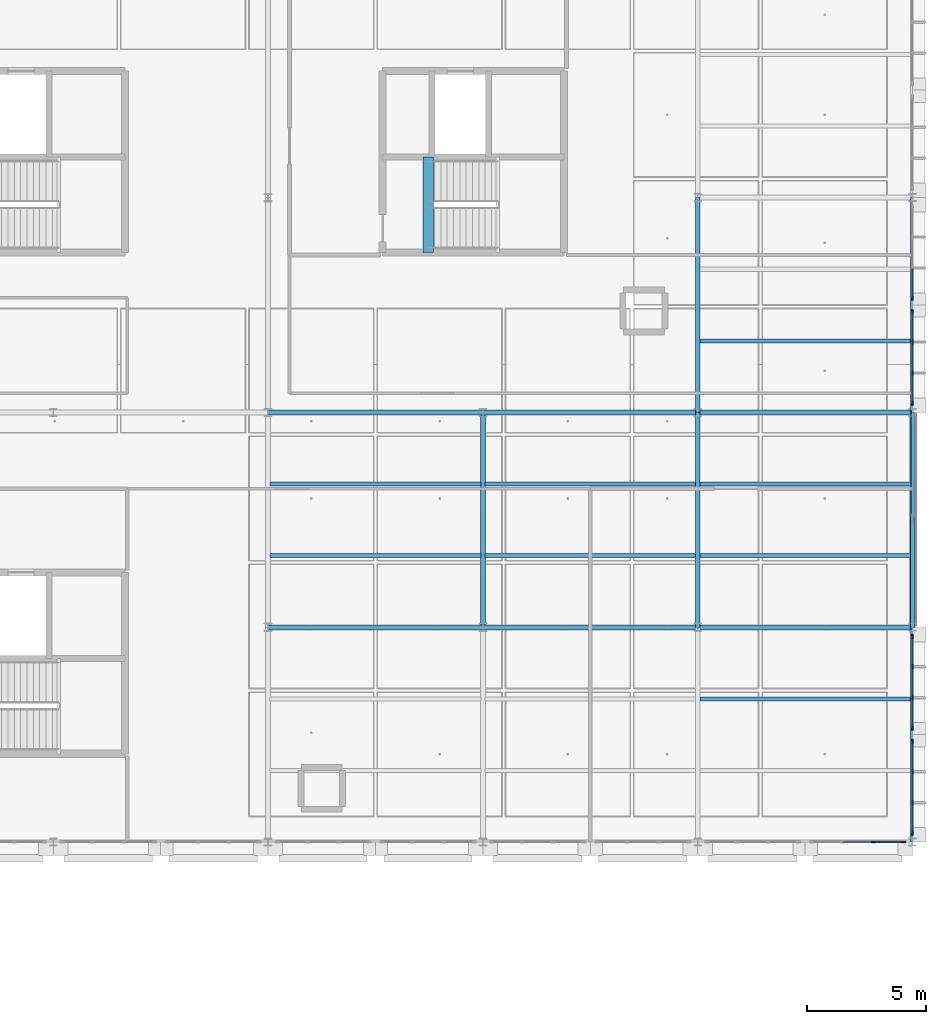
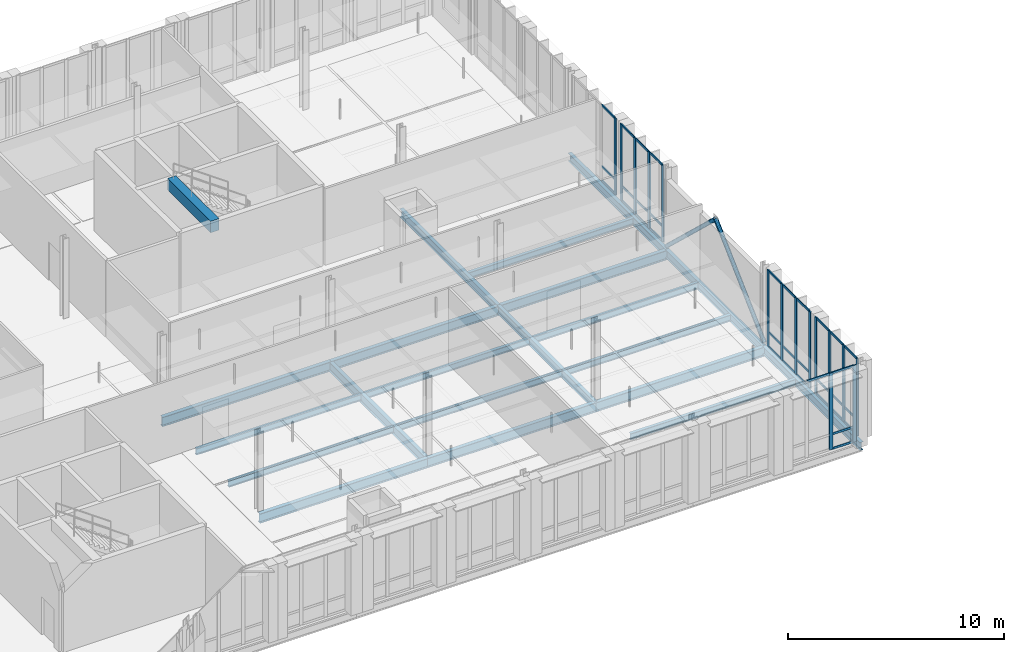
# One storey, part 32 of 89: 51 members, 21 beams, 5 elements without a shape of their own.
"""IFC4 building model written with IfcOpenShell, lengths in metres."""

import ifcopenshell
import ifcopenshell.guid

model = None  # the IFC model being written
_history = None  # IfcOwnerHistory: only IFC2X3 demands one
_inside = {}  # id of a spatial element -> (the spatial element, [elements in it])
_under = {}  # id of a project, library or spatial element -> (it, [spatial elements below it])
_declared = {}  # id of a project -> (the project, [libraries it declares])
_typed = {}  # id of a type object -> (the type object, [elements of that type])
_made_of = {}  # id of a material, layer set ... -> (it, [elements and type objects made of it])


def new_model(schema):
    """Start an empty IFC model of exactly this schema.

    Asked for "IFC4X3", IfcOpenShell would pick the latest addendum, in which some entities
    have other attributes; the version numbers below select the first issue.
    IFC2X3 requires an IfcOwnerHistory on every rooted entity: one is made here for all.
    """
    global model, _history
    if schema == "IFC4X3":
        model = ifcopenshell.file(schema_version=(4, 3, 0, 0))
    else:
        model = ifcopenshell.file(schema=schema)
    _inside.clear()
    _under.clear()
    _declared.clear()
    _typed.clear()
    _made_of.clear()
    _history = None
    if model.schema == "IFC2X3":
        org = make("IfcOrganization", Name="unknown")
        user = make(
            "IfcPersonAndOrganization",
            ThePerson=make("IfcPerson", FamilyName="unknown"),
            TheOrganization=org,
        )
        app = make(
            "IfcApplication",
            ApplicationDeveloper=org,
            Version="unknown",
            ApplicationFullName="unknown",
            ApplicationIdentifier="unknown",
        )
        _history = make(
            "IfcOwnerHistory",
            OwningUser=user,
            OwningApplication=app,
            ChangeAction="ADDED",
            CreationDate=0,
        )
    return model


def make(cls, **values):
    """One entity of the class cls with the attributes given. An attribute that is None is left unset."""
    return model.create_entity(
        cls, **{name: value for name, value in values.items() if value is not None}
    )


def rooted(cls, **values):
    """An entity with a GlobalId (a new one), such as an element, a storey or a relation."""
    return make(cls, GlobalId=ifcopenshell.guid.new(), OwnerHistory=_history, **values)


def si_unit(unit_type, name, prefix=None):
    """IfcSIUnit, for example si_unit("LENGTHUNIT", "METRE", prefix="MILLI")."""
    return make("IfcSIUnit", UnitType=unit_type, Prefix=prefix, Name=name)


def assignment(units):
    """IfcUnitAssignment: the units of a project."""
    return None if units is None else make("IfcUnitAssignment", Units=units)


def point(xyz):
    """IfcCartesianPoint."""
    return None if xyz is None else make("IfcCartesianPoint", Coordinates=xyz)


def direction(xyz):
    """IfcDirection."""
    return None if xyz is None else make("IfcDirection", DirectionRatios=xyz)


def frame(location, z_axis=None, x_axis=None):
    """IfcAxis2Placement3D, a coordinate frame: its origin and axes. An axis left out is left unset."""
    return make(
        "IfcAxis2Placement3D",
        Location=point(location),
        Axis=direction(z_axis),
        RefDirection=direction(x_axis),
    )


def frame_2d(location, x_axis=None):
    """IfcAxis2Placement2D, a coordinate frame in the plane: its origin and x axis."""
    return make(
        "IfcAxis2Placement2D", Location=point(location), RefDirection=direction(x_axis)
    )


def origin():
    """The frame at (0, 0, 0) with its axes left unset."""
    return frame((0.0, 0.0, 0.0))


def origin_2d():
    """The frame at (0, 0) in the plane with its x axis left unset."""
    return frame_2d((0.0, 0.0))


def place(relative_to, where):
    """IfcLocalPlacement: puts the frame where relative to a parent placement (None: the world)."""
    return make(
        "IfcLocalPlacement", PlacementRelTo=relative_to, RelativePlacement=where
    )


def context(
    kind, dimensions, precision=None, world=None, true_north=None, identifier=None
):
    """IfcGeometricRepresentationContext, for example the 3D "Model" context."""
    return make(
        "IfcGeometricRepresentationContext",
        ContextIdentifier=identifier,
        ContextType=kind,
        CoordinateSpaceDimension=dimensions,
        Precision=precision,
        WorldCoordinateSystem=world,
        TrueNorth=true_north,
    )


def subcontext(parent, identifier, kind, view, scale=None):
    """IfcGeometricRepresentationSubContext, for example "Body" below "Model"."""
    return make(
        "IfcGeometricRepresentationSubContext",
        ContextIdentifier=identifier,
        ContextType=kind,
        ParentContext=parent,
        TargetScale=scale,
        TargetView=view,
    )


def project(units=None, contexts=None):
    """IfcProject with its units and contexts."""
    return rooted(
        "IfcProject",
        Name="project",
        RepresentationContexts=contexts,
        UnitsInContext=assignment(units),
    )


def spatial(cls, under=None, at=None, **own):
    """A site, building, storey or space (cls), placed at a placement, below another one or the project."""
    s = rooted(cls, ObjectPlacement=at, **own)
    if under is not None:
        _under.setdefault(under.id(), (under, []))[1].append(s)
    return s


def profile(cls, at=None, kind="AREA", **sizes):
    """A parametric profile (cls). Its sizes go by their IFC names, for example OverallWidth=200.0."""
    return make(cls, ProfileType=kind, Position=at, **sizes)


def rectangle(**sizes):
    """IfcRectangleProfileDef."""
    return profile("IfcRectangleProfileDef", **sizes)


def hollow_circle(**sizes):
    """IfcCircleHollowProfileDef."""
    return profile("IfcCircleHollowProfileDef", **sizes)


def i_section(**sizes):
    """IfcIShapeProfileDef."""
    return profile("IfcIShapeProfileDef", **sizes)


def extrude(swept, where, along, depth):
    """IfcExtrudedAreaSolid: the profile swept, set in the frame where, extruded along a direction by depth."""
    return make(
        "IfcExtrudedAreaSolid",
        SweptArea=swept,
        Position=where,
        ExtrudedDirection=direction(along),
        Depth=depth,
    )


def shape(context_of_items, identifier, shape_type, items):
    """IfcShapeRepresentation: the items that make up one representation, for example the "Body"."""
    return make(
        "IfcShapeRepresentation",
        ContextOfItems=context_of_items,
        RepresentationIdentifier=identifier,
        RepresentationType=shape_type,
        Items=items,
    )


def material(Name=None, Category=None):
    """IfcMaterial."""
    return make("IfcMaterial", Name=Name, Category=Category)


def material_profile(
    of_material, cross_section, Name=None, Category=None, Priority=None
):
    """IfcMaterialProfile: a cross section and its material."""
    return make(
        "IfcMaterialProfile",
        Name=Name,
        Material=of_material,
        Profile=cross_section,
        Priority=Priority,
        Category=Category,
    )


def profile_set(profiles, Name=None, composite=None):
    """IfcMaterialProfileSet."""
    return make(
        "IfcMaterialProfileSet",
        Name=Name,
        MaterialProfiles=profiles,
        CompositeProfile=composite,
    )


def made_of(thing, what):
    """Note that an element or type object is made of a material, layer set ...; save() writes the relation."""
    if what is not None:
        _made_of.setdefault(what.id(), (what, []))[1].append(thing)
    return thing


def type_object(cls, material=None, **own):
    """A type object (cls), such as IfcWallType, which elements share."""
    return made_of(rooted(cls, **own), material)


def element(
    cls,
    number,
    at=None,
    inside=None,
    cuts=None,
    type_object=None,
    material=None,
    context=None,
    identifier="Body",
    shape_type=None,
    held_by="IfcProductDefinitionShape",
    body=None,
    shapes=None,
    **own,
):
    """One element of the class cls, such as IfcWall. Its Tag is "e" and its number.

    at: its placement. inside: the storey or other place that contains it. cuts: it is an
    opening in that element (IfcRelVoidsElement). A single representation is given by context,
    identifier, shape_type and body (its items); several are given by shapes. held_by: the class
    of the entity that holds the representations. save() writes the other relations.
    """
    e = rooted(cls, Tag="e%d" % number, ObjectPlacement=at, **own)
    if body is not None:
        shapes = [shape(context, identifier, shape_type, body)]
    if shapes is not None:
        e.Representation = make(held_by, Representations=shapes)
    if inside is not None:
        _inside.setdefault(inside.id(), (inside, []))[1].append(e)
    if cuts is not None:
        rooted(
            "IfcRelVoidsElement", RelatingBuildingElement=cuts, RelatedOpeningElement=e
        )
    if type_object is not None:
        _typed.setdefault(type_object.id(), (type_object, []))[1].append(e)
    return made_of(e, material)


def aggregate(whole, parts):
    """IfcRelAggregates: a whole, such as a stair, and the parts it consists of."""
    return rooted("IfcRelAggregates", RelatingObject=whole, RelatedObjects=parts)


def save(model, path):
    """Write the relations noted so far, then the file.

    IfcRelAggregates (storeys below a building ...), IfcRelContainedInSpatialStructure (elements
    in a storey), IfcRelDefinesByType, IfcRelAssociatesMaterial and IfcRelDeclares: one each for
    every whole, place, type object, material and project.
    """
    for whole, parts in _under.values():
        aggregate(whole, parts)
    for where, things in _inside.values():
        rooted(
            "IfcRelContainedInSpatialStructure",
            RelatedElements=things,
            RelatingStructure=where,
        )
    for kind, things in _typed.values():
        rooted("IfcRelDefinesByType", RelatedObjects=things, RelatingType=kind)
    for what, things in _made_of.values():
        rooted("IfcRelAssociatesMaterial", RelatedObjects=things, RelatingMaterial=what)
    for by, libraries in _declared.values():
        rooted("IfcRelDeclares", RelatingContext=by, RelatedDefinitions=libraries)
    model.write(path)


model = new_model("IFC4")

# Units and contexts
model_context = context("Model", 3, precision=1e-05, world=origin(), true_north=direction((0.0, 1.0)))
body_context = subcontext(model_context, "Body", "Model", "MODEL_VIEW")
ifc_project = project(units=[si_unit("LENGTHUNIT", "METRE"), si_unit("AREAUNIT", "SQUARE_METRE"), si_unit("VOLUMEUNIT", "CUBIC_METRE"), si_unit("PLANEANGLEUNIT", "RADIAN"), si_unit("MASSUNIT", "GRAM", prefix="KILO"), si_unit("THERMODYNAMICTEMPERATUREUNIT", "KELVIN"), si_unit("POWERUNIT", "WATT")], contexts=[model_context])

# Site, building, storey
site_placement = place(None, origin())
site = spatial("IfcSite", under=ifc_project, at=site_placement, CompositionType="ELEMENT")
building_placement = place(site_placement, origin())
building = spatial("IfcBuilding", under=site, at=building_placement, Name="Tallowbark Science Centre", CompositionType="ELEMENT")
storey_placement = place(building_placement, frame((0.0, 0.0, 14.39990234375)))
storey = spatial("IfcBuildingStorey", under=building, at=storey_placement, Name="L03", CompositionType="ELEMENT", Elevation=14.39990234375)

# Beams
ifc_material_1 = material(Name="Concrete Grade N40 (40 MPa)", Category="concrete")
ifc_material_profile_1 = material_profile(ifc_material_1, rectangle(XDim=0.449951171875, YDim=0.64990234375, at=origin_2d()), Name="RC450x650")
ifc_profile_set_1 = profile_set([ifc_material_profile_1], Name="Concrete Grade N40 (40 MPa)")
beam_type_1 = type_object("IfcBeamType", Name="BM-GB2-N40", PredefinedType="BEAM", material=ifc_profile_set_1)
beam_1_placement = place(storey_placement, frame((137.2099609375, 96.699951171875, 4.175048828125), z_axis=(0.0, 1.0, 0.0), x_axis=(-1.0, 0.0, 0.0)))
element("IfcBeam", 1, at=beam_1_placement, inside=storey, type_object=beam_type_1, Name="Stair ST-04 Landing Nosing Beam L03", PredefinedType="BEAM", context=body_context, shape_type="SweptSolid", body=[
    extrude(rectangle(XDim=0.449951171875, YDim=0.64990234375, at=origin_2d()), origin(), (0.0, 0.0, 1.0), 3.9951171875),
])
ifc_material_2 = material(Name="Structural Steel Grade 300PLUS (300 MPa)", Category="steel")
ifc_material_profile_2 = material_profile(ifc_material_2, i_section(OverallWidth=0.208984375, OverallDepth=0.532958984375, WebThickness=0.01025390625, FlangeThickness=0.015625, FilletRadius=0.013916015625, at=origin_2d()), Name="530UB92.4")
ifc_profile_set_2 = profile_set([ifc_material_profile_2], Name="Structural Steel Grade 300PLUS (300 MPa)")
beam_type_2 = type_object("IfcBeamType", Name="BM-UB530A", PredefinedType="BEAM", material=ifc_profile_set_2)
for number, where, z_axis, x_axis, name in (
    (2, (130.5, 81.0, -0.4462890625), (1.0, 0.0, 0.0), (0.0, 1.0, 0.0), "Primary Girder GRDX-L03-1305-1395-810"),
    (3, (139.5, 81.0, -0.4462890625), (1.0, 0.0, 0.0), (0.0, 1.0, 0.0), "Primary Girder GRDX-L03-1395-1485-810"),
    (4, (148.5, 81.0, -0.4462890625), (1.0, 0.0, 0.0), (0.0, 1.0, 0.0), "Primary Girder GRDX-L03-1485-1575-810"),
    (5, (130.5, 90.0, -0.4462890625), (1.0, 0.0, 0.0), (0.0, 1.0, 0.0), "Primary Girder GRDX-L03-1305-1395-900"),
    (6, (139.5, 90.0, -0.4462890625), (1.0, 0.0, 0.0), (0.0, 1.0, 0.0), "Primary Girder GRDX-L03-1395-1485-900"),
    (7, (148.5, 90.0, -0.4462890625), (1.0, 0.0, 0.0), (0.0, 1.0, 0.0), "Primary Girder GRDX-L03-1485-1575-900"),
):
    element("IfcBeam", number, at=place(storey_placement, frame(where, z_axis=z_axis, x_axis=x_axis)), inside=storey, type_object=beam_type_2, Name=name, PredefinedType="BEAM", context=body_context, shape_type="SweptSolid", body=[
        extrude(i_section(OverallWidth=0.208984375, OverallDepth=0.532958984375, WebThickness=0.01025390625, FlangeThickness=0.015625, FilletRadius=0.013916015625, at=origin_2d()), origin(), (0.0, 0.0, 1.0), 9.0),
    ])
ifc_material_profile_3 = material_profile(ifc_material_2, i_section(OverallWidth=0.208740234375, OverallDepth=0.5283203125, WebThickness=0.009521484375, FlangeThickness=0.01318359375, FilletRadius=0.013916015625, at=origin_2d()), Name="530UB82.0")
ifc_profile_set_3 = profile_set([ifc_material_profile_3], Name="Structural Steel Grade 300PLUS (300 MPa)")
beam_type_3 = type_object("IfcBeamType", Name="BM-UB530B", PredefinedType="BEAM", material=ifc_profile_set_3)
beam_2_placement = place(storey_placement, frame((139.5, 81.0, -0.444091796875), z_axis=(0.0, 1.0, 0.0), x_axis=(-1.0, 0.0, 0.0)))
element("IfcBeam", 8, at=beam_2_placement, inside=storey, type_object=beam_type_3, Name="Primary Girder GRDY-L03-1395-810-900", PredefinedType="BEAM", context=body_context, shape_type="SweptSolid", body=[
    extrude(i_section(OverallWidth=0.208740234375, OverallDepth=0.5283203125, WebThickness=0.009521484375, FlangeThickness=0.01318359375, FilletRadius=0.013916015625, at=origin_2d()), origin(), (0.0, 0.0, 1.0), 9.0),
])

# Members
ifc_material_3 = material(Name="Structural Steel Grade C350L0 (350 MPa)", Category="steel")
ifc_material_profile_4 = material_profile(ifc_material_3, hollow_circle(Radius=0.109619140625, WallThickness=0.00830078125, at=origin_2d()), Name="219.1x8.2CHS")
ifc_profile_set_4 = profile_set([ifc_material_profile_4], Name="Structural Steel Grade C350L0 (350 MPa)")
member_type_1 = type_object("IfcMemberType", Name="CBF-219CHS", PredefinedType="BRACE", material=ifc_profile_set_4)
for number, where, z_axis, x_axis, name in (
    (9, (157.5, 81.0, 0.0), (0.0, 0.72701315255, 0.686623532964), (-1.0, 0.0, 0.0), "Concentric Chevron Brace CBF-OBS-E1B L03 Left"),
    (10, (157.5, 90.0, 0.0), (0.0, -0.72701315255, 0.686623532964), (1.0, 0.0, 0.0), "Concentric Chevron Brace CBF-OBS-E1B L03 Right"),
):
    element("IfcMember", number, at=place(storey_placement, frame(where, z_axis=z_axis, x_axis=x_axis)), inside=storey, type_object=member_type_1, Name=name, PredefinedType="BRACE", context=body_context, shape_type="SweptSolid", body=[
        extrude(hollow_circle(Radius=0.109619140625, WallThickness=0.00830078125, at=origin_2d()), origin(), (0.0, 0.0, 1.0), 6.189697265625),
    ])

# Curtain wall, members
ifc_material_4 = material(Name="Unitised Thermally Broken Aluminium and Low-E Double Glazing", Category="aluminium")
curtain_wall_type = type_object("IfcCurtainWallType", Name="CW-SYS-FACADE", PredefinedType="NOTDEFINED", material=ifc_material_4)
curtain_wall_1_placement = place(storey_placement, origin())
curtain_wall_1 = element("IfcCurtainWall", 11, at=curtain_wall_1_placement, inside=storey, type_object=curtain_wall_type, Name="Unitised Curtain Wall OBS-S-148B CW-L03-181", PredefinedType="NOTDEFINED")
ifc_material_5 = material(Name="Anodised Architectural Aluminium Alloy 6063-T6", Category="aluminium")
ifc_material_profile_5 = material_profile(ifc_material_5, rectangle(XDim=0.06494140625, YDim=0.179931640625, at=origin_2d()), Name="ALU65x180")
ifc_profile_set_5 = profile_set([ifc_material_profile_5], Name="Anodised Architectural Aluminium Alloy 6063-T6")
member_type_2 = type_object("IfcMemberType", Name="CWM-MUL-220", PredefinedType="MULLION", material=ifc_profile_set_5)
member_1_placement = place(storey_placement, frame((155.85009765625, 72.0, 0.0), z_axis=(0.0, 0.0, 1.0), x_axis=(0.0, 1.0, 0.0)))
member_1 = element("IfcMember", 12, at=member_1_placement, type_object=member_type_2, Name="CW-01 mullion 3", PredefinedType="MULLION", context=body_context, shape_type="SweptSolid", body=[
    extrude(rectangle(XDim=0.06494140625, YDim=0.179931640625, at=origin_2d()), origin(), (0.0, 0.0, 1.0), 4.320068359375),
])
member_2_placement = place(storey_placement, frame((157.117431640625, 72.0, 0.0), z_axis=(0.0, 0.0, 1.0), x_axis=(0.0, 1.0, 0.0)))
member_2 = element("IfcMember", 13, at=member_2_placement, type_object=member_type_2, Name="CW-01 mullion 4", PredefinedType="MULLION", context=body_context, shape_type="SweptSolid", body=[
    extrude(rectangle(XDim=0.06494140625, YDim=0.179931640625, at=origin_2d()), origin(), (0.0, 0.0, 1.0), 4.320068359375),
])

curtain_wall_2_placement = place(storey_placement, origin())
curtain_wall_2 = element("IfcCurtainWall", 14, at=curtain_wall_2_placement, inside=storey, type_object=curtain_wall_type, Name="Unitised Curtain Wall OBS-E-72A CW-L03-184", PredefinedType="NOTDEFINED")
member_3_placement = place(storey_placement, frame((157.5, 72.382568359375, 0.0), z_axis=(0.0, 0.0, 1.0), x_axis=(-1.0, 0.0, 0.0)))
member_3 = element("IfcMember", 15, at=member_3_placement, type_object=member_type_2, Name="CW-01 mullion 1", PredefinedType="MULLION", context=body_context, shape_type="SweptSolid", body=[
    extrude(rectangle(XDim=0.06494140625, YDim=0.179931640625, at=origin_2d()), origin(), (0.0, 0.0, 1.0), 4.320068359375),
])
member_4_placement = place(storey_placement, frame((157.5, 73.64990234375, 0.0), z_axis=(0.0, 0.0, 1.0), x_axis=(-1.0, 0.0, 0.0)))
member_4 = element("IfcMember", 16, at=member_4_placement, type_object=member_type_2, Name="CW-01 mullion 2", PredefinedType="MULLION", context=body_context, shape_type="SweptSolid", body=[
    extrude(rectangle(XDim=0.06494140625, YDim=0.179931640625, at=origin_2d()), origin(), (0.0, 0.0, 1.0), 4.320068359375),
])
member_5_placement = place(storey_placement, frame((157.5, 74.949951171875, 0.0), z_axis=(0.0, 0.0, 1.0), x_axis=(-1.0, 0.0, 0.0)))
member_5 = element("IfcMember", 17, at=member_5_placement, type_object=member_type_2, Name="CW-01 mullion 3", PredefinedType="MULLION", context=body_context, shape_type="SweptSolid", body=[
    extrude(rectangle(XDim=0.06494140625, YDim=0.179931640625, at=origin_2d()), origin(), (0.0, 0.0, 1.0), 4.320068359375),
])
member_6_placement = place(storey_placement, frame((157.5, 76.217529296875, 0.0), z_axis=(0.0, 0.0, 1.0), x_axis=(-1.0, 0.0, 0.0)))
member_6 = element("IfcMember", 18, at=member_6_placement, type_object=member_type_2, Name="CW-01 mullion 4", PredefinedType="MULLION", context=body_context, shape_type="SweptSolid", body=[
    extrude(rectangle(XDim=0.06494140625, YDim=0.179931640625, at=origin_2d()), origin(), (0.0, 0.0, 1.0), 4.320068359375),
])

curtain_wall_3_placement = place(storey_placement, origin())
curtain_wall_3 = element("IfcCurtainWall", 19, at=curtain_wall_3_placement, inside=storey, type_object=curtain_wall_type, Name="Unitised Curtain Wall OBS-E-72B CW-L03-185", PredefinedType="NOTDEFINED")
member_7_placement = place(storey_placement, frame((157.5, 76.782470703125, 0.0), z_axis=(0.0, 0.0, 1.0), x_axis=(-1.0, 0.0, 0.0)))
member_7 = element("IfcMember", 20, at=member_7_placement, type_object=member_type_2, Name="CW-01 mullion 1", PredefinedType="MULLION", context=body_context, shape_type="SweptSolid", body=[
    extrude(rectangle(XDim=0.06494140625, YDim=0.179931640625, at=origin_2d()), origin(), (0.0, 0.0, 1.0), 4.320068359375),
])
member_8_placement = place(storey_placement, frame((157.5, 78.050048828125, 0.0), z_axis=(0.0, 0.0, 1.0), x_axis=(-1.0, 0.0, 0.0)))
member_8 = element("IfcMember", 21, at=member_8_placement, type_object=member_type_2, Name="CW-01 mullion 2", PredefinedType="MULLION", context=body_context, shape_type="SweptSolid", body=[
    extrude(rectangle(XDim=0.06494140625, YDim=0.179931640625, at=origin_2d()), origin(), (0.0, 0.0, 1.0), 4.320068359375),
])
member_9_placement = place(storey_placement, frame((157.5, 79.35009765625, 0.0), z_axis=(0.0, 0.0, 1.0), x_axis=(-1.0, 0.0, 0.0)))
member_9 = element("IfcMember", 22, at=member_9_placement, type_object=member_type_2, Name="CW-01 mullion 3", PredefinedType="MULLION", context=body_context, shape_type="SweptSolid", body=[
    extrude(rectangle(XDim=0.06494140625, YDim=0.179931640625, at=origin_2d()), origin(), (0.0, 0.0, 1.0), 4.320068359375),
])
member_10_placement = place(storey_placement, frame((157.5, 80.617431640625, 0.0), z_axis=(0.0, 0.0, 1.0), x_axis=(-1.0, 0.0, 0.0)))
member_10 = element("IfcMember", 23, at=member_10_placement, type_object=member_type_2, Name="CW-01 mullion 4", PredefinedType="MULLION", context=body_context, shape_type="SweptSolid", body=[
    extrude(rectangle(XDim=0.06494140625, YDim=0.179931640625, at=origin_2d()), origin(), (0.0, 0.0, 1.0), 4.320068359375),
])

curtain_wall_4_placement = place(storey_placement, origin())
curtain_wall_4 = element("IfcCurtainWall", 24, at=curtain_wall_4_placement, inside=storey, type_object=curtain_wall_type, Name="Unitised Curtain Wall OBS-E-90A CW-L03-186", PredefinedType="NOTDEFINED")
member_11_placement = place(storey_placement, frame((157.5, 90.382568359375, 0.0), z_axis=(0.0, 0.0, 1.0), x_axis=(-1.0, 0.0, 0.0)))
member_11 = element("IfcMember", 25, at=member_11_placement, type_object=member_type_2, Name="CW-01 mullion 1", PredefinedType="MULLION", context=body_context, shape_type="SweptSolid", body=[
    extrude(rectangle(XDim=0.06494140625, YDim=0.179931640625, at=origin_2d()), origin(), (0.0, 0.0, 1.0), 4.320068359375),
])
member_12_placement = place(storey_placement, frame((157.5, 91.64990234375, 0.0), z_axis=(0.0, 0.0, 1.0), x_axis=(-1.0, 0.0, 0.0)))
member_12 = element("IfcMember", 26, at=member_12_placement, type_object=member_type_2, Name="CW-01 mullion 2", PredefinedType="MULLION", context=body_context, shape_type="SweptSolid", body=[
    extrude(rectangle(XDim=0.06494140625, YDim=0.179931640625, at=origin_2d()), origin(), (0.0, 0.0, 1.0), 4.320068359375),
])
member_13_placement = place(storey_placement, frame((157.5, 92.949951171875, 0.0), z_axis=(0.0, 0.0, 1.0), x_axis=(-1.0, 0.0, 0.0)))
member_13 = element("IfcMember", 27, at=member_13_placement, type_object=member_type_2, Name="CW-01 mullion 3", PredefinedType="MULLION", context=body_context, shape_type="SweptSolid", body=[
    extrude(rectangle(XDim=0.06494140625, YDim=0.179931640625, at=origin_2d()), origin(), (0.0, 0.0, 1.0), 4.320068359375),
])
member_14_placement = place(storey_placement, frame((157.5, 94.217529296875, 0.0), z_axis=(0.0, 0.0, 1.0), x_axis=(-1.0, 0.0, 0.0)))
member_14 = element("IfcMember", 28, at=member_14_placement, type_object=member_type_2, Name="CW-01 mullion 4", PredefinedType="MULLION", context=body_context, shape_type="SweptSolid", body=[
    extrude(rectangle(XDim=0.06494140625, YDim=0.179931640625, at=origin_2d()), origin(), (0.0, 0.0, 1.0), 4.320068359375),
])

# Curtain wall, member
curtain_wall_5_placement = place(storey_placement, origin())
curtain_wall_5 = element("IfcCurtainWall", 29, at=curtain_wall_5_placement, inside=storey, type_object=curtain_wall_type, Name="Unitised Curtain Wall OBS-E-90B CW-L03-187", PredefinedType="NOTDEFINED")
member_15_placement = place(storey_placement, frame((157.5, 94.782470703125, 0.0), z_axis=(0.0, 0.0, 1.0), x_axis=(-1.0, 0.0, 0.0)))
member_15 = element("IfcMember", 30, at=member_15_placement, type_object=member_type_2, Name="CW-01 mullion 1", PredefinedType="MULLION", context=body_context, shape_type="SweptSolid", body=[
    extrude(rectangle(XDim=0.06494140625, YDim=0.179931640625, at=origin_2d()), origin(), (0.0, 0.0, 1.0), 4.320068359375),
])

# Member
ifc_material_profile_6 = material_profile(ifc_material_5, rectangle(XDim=0.054931640625, YDim=0.1201171875, at=origin_2d()), Name="ALU55x120")
ifc_profile_set_6 = profile_set([ifc_material_profile_6], Name="Anodised Architectural Aluminium Alloy 6063-T6")
member_type_3 = type_object("IfcMemberType", Name="CWM-TRN-150", PredefinedType="USERDEFINED", material=ifc_profile_set_6)
member_16_placement = place(storey_placement, frame((154.58251953125, 72.0, 4.29248046875), z_axis=(1.0, 0.0, 0.0), x_axis=(0.0, 1.0, 0.0)))
member_16 = element("IfcMember", 31, at=member_16_placement, type_object=member_type_3, Name="CW-01 transom 2.3", ObjectType="TRANSOM", PredefinedType="USERDEFINED", context=body_context, shape_type="SweptSolid", body=[
    extrude(rectangle(XDim=0.054931640625, YDim=0.1201171875, at=origin_2d()), origin(), (0.0, 0.0, 1.0), 1.23486328125),
])

member_17_placement = place(storey_placement, frame((155.882568359375, 72.0, 0.027587890625), z_axis=(1.0, 0.0, 0.0), x_axis=(0.0, 1.0, 0.0)))
member_17 = element("IfcMember", 32, at=member_17_placement, type_object=member_type_3, Name="CW-01 transom 3.1", ObjectType="TRANSOM", PredefinedType="USERDEFINED", context=body_context, shape_type="SweptSolid", body=[
    extrude(rectangle(XDim=0.054931640625, YDim=0.1201171875, at=origin_2d()), origin(), (0.0, 0.0, 1.0), 1.202392578125),
])

member_18_placement = place(storey_placement, frame((155.882568359375, 72.0, 0.85009765625), z_axis=(1.0, 0.0, 0.0), x_axis=(0.0, 1.0, 0.0)))
member_18 = element("IfcMember", 33, at=member_18_placement, type_object=member_type_3, Name="CW-01 transom 3.2", ObjectType="TRANSOM", PredefinedType="USERDEFINED", context=body_context, shape_type="SweptSolid", body=[
    extrude(rectangle(XDim=0.054931640625, YDim=0.1201171875, at=origin_2d()), origin(), (0.0, 0.0, 1.0), 1.202392578125),
])

member_19_placement = place(storey_placement, frame((155.882568359375, 72.0, 4.29248046875), z_axis=(1.0, 0.0, 0.0), x_axis=(0.0, 1.0, 0.0)))
member_19 = element("IfcMember", 34, at=member_19_placement, type_object=member_type_3, Name="CW-01 transom 3.3", ObjectType="TRANSOM", PredefinedType="USERDEFINED", context=body_context, shape_type="SweptSolid", body=[
    extrude(rectangle(XDim=0.054931640625, YDim=0.1201171875, at=origin_2d()), origin(), (0.0, 0.0, 1.0), 1.202392578125),
])

aggregate(curtain_wall_1, [member_1, member_2, member_16, member_17, member_18, member_19])

member_20_placement = place(storey_placement, frame((157.5, 72.4150390625, 0.027587890625), z_axis=(0.0, 1.0, 0.0), x_axis=(-1.0, 0.0, 0.0)))
member_20 = element("IfcMember", 35, at=member_20_placement, type_object=member_type_3, Name="CW-01 transom 1.1", ObjectType="TRANSOM", PredefinedType="USERDEFINED", context=body_context, shape_type="SweptSolid", body=[
    extrude(rectangle(XDim=0.054931640625, YDim=0.1201171875, at=origin_2d()), origin(), (0.0, 0.0, 1.0), 1.202392578125),
])

member_21_placement = place(storey_placement, frame((157.5, 72.4150390625, 0.85009765625), z_axis=(0.0, 1.0, 0.0), x_axis=(-1.0, 0.0, 0.0)))
member_21 = element("IfcMember", 36, at=member_21_placement, type_object=member_type_3, Name="CW-01 transom 1.2", ObjectType="TRANSOM", PredefinedType="USERDEFINED", context=body_context, shape_type="SweptSolid", body=[
    extrude(rectangle(XDim=0.054931640625, YDim=0.1201171875, at=origin_2d()), origin(), (0.0, 0.0, 1.0), 1.202392578125),
])

member_22_placement = place(storey_placement, frame((157.5, 72.4150390625, 4.29248046875), z_axis=(0.0, 1.0, 0.0), x_axis=(-1.0, 0.0, 0.0)))
member_22 = element("IfcMember", 37, at=member_22_placement, type_object=member_type_3, Name="CW-01 transom 1.3", ObjectType="TRANSOM", PredefinedType="USERDEFINED", context=body_context, shape_type="SweptSolid", body=[
    extrude(rectangle(XDim=0.054931640625, YDim=0.1201171875, at=origin_2d()), origin(), (0.0, 0.0, 1.0), 1.202392578125),
])

member_23_placement = place(storey_placement, frame((157.5, 73.6826171875, 0.027587890625), z_axis=(0.0, 1.0, 0.0), x_axis=(-1.0, 0.0, 0.0)))
member_23 = element("IfcMember", 38, at=member_23_placement, type_object=member_type_3, Name="CW-01 transom 2.1", ObjectType="TRANSOM", PredefinedType="USERDEFINED", context=body_context, shape_type="SweptSolid", body=[
    extrude(rectangle(XDim=0.054931640625, YDim=0.1201171875, at=origin_2d()), origin(), (0.0, 0.0, 1.0), 1.23486328125),
])

member_24_placement = place(storey_placement, frame((157.5, 73.6826171875, 0.85009765625), z_axis=(0.0, 1.0, 0.0), x_axis=(-1.0, 0.0, 0.0)))
member_24 = element("IfcMember", 39, at=member_24_placement, type_object=member_type_3, Name="CW-01 transom 2.2", ObjectType="TRANSOM", PredefinedType="USERDEFINED", context=body_context, shape_type="SweptSolid", body=[
    extrude(rectangle(XDim=0.054931640625, YDim=0.1201171875, at=origin_2d()), origin(), (0.0, 0.0, 1.0), 1.23486328125),
])

member_25_placement = place(storey_placement, frame((157.5, 73.6826171875, 4.29248046875), z_axis=(0.0, 1.0, 0.0), x_axis=(-1.0, 0.0, 0.0)))
member_25 = element("IfcMember", 40, at=member_25_placement, type_object=member_type_3, Name="CW-01 transom 2.3", ObjectType="TRANSOM", PredefinedType="USERDEFINED", context=body_context, shape_type="SweptSolid", body=[
    extrude(rectangle(XDim=0.054931640625, YDim=0.1201171875, at=origin_2d()), origin(), (0.0, 0.0, 1.0), 1.23486328125),
])

member_26_placement = place(storey_placement, frame((157.5, 74.982421875, 0.027587890625), z_axis=(0.0, 1.0, 0.0), x_axis=(-1.0, 0.0, 0.0)))
member_26 = element("IfcMember", 41, at=member_26_placement, type_object=member_type_3, Name="CW-01 transom 3.1", ObjectType="TRANSOM", PredefinedType="USERDEFINED", context=body_context, shape_type="SweptSolid", body=[
    extrude(rectangle(XDim=0.054931640625, YDim=0.1201171875, at=origin_2d()), origin(), (0.0, 0.0, 1.0), 1.20263671875),
])

member_27_placement = place(storey_placement, frame((157.5, 74.982421875, 0.85009765625), z_axis=(0.0, 1.0, 0.0), x_axis=(-1.0, 0.0, 0.0)))
member_27 = element("IfcMember", 42, at=member_27_placement, type_object=member_type_3, Name="CW-01 transom 3.2", ObjectType="TRANSOM", PredefinedType="USERDEFINED", context=body_context, shape_type="SweptSolid", body=[
    extrude(rectangle(XDim=0.054931640625, YDim=0.1201171875, at=origin_2d()), origin(), (0.0, 0.0, 1.0), 1.20263671875),
])

member_28_placement = place(storey_placement, frame((157.5, 74.982421875, 4.29248046875), z_axis=(0.0, 1.0, 0.0), x_axis=(-1.0, 0.0, 0.0)))
member_28 = element("IfcMember", 43, at=member_28_placement, type_object=member_type_3, Name="CW-01 transom 3.3", ObjectType="TRANSOM", PredefinedType="USERDEFINED", context=body_context, shape_type="SweptSolid", body=[
    extrude(rectangle(XDim=0.054931640625, YDim=0.1201171875, at=origin_2d()), origin(), (0.0, 0.0, 1.0), 1.20263671875),
])

aggregate(curtain_wall_2, [member_3, member_4, member_5, member_6, member_20, member_21, member_22, member_23, member_24, member_25, member_26, member_27, member_28])

member_29_placement = place(storey_placement, frame((157.5, 76.81494140625, 0.027587890625), z_axis=(0.0, 1.0, 0.0), x_axis=(-1.0, 0.0, 0.0)))
member_29 = element("IfcMember", 44, at=member_29_placement, type_object=member_type_3, Name="CW-01 transom 1.1", ObjectType="TRANSOM", PredefinedType="USERDEFINED", context=body_context, shape_type="SweptSolid", body=[
    extrude(rectangle(XDim=0.054931640625, YDim=0.1201171875, at=origin_2d()), origin(), (0.0, 0.0, 1.0), 1.20263671875),
])

member_30_placement = place(storey_placement, frame((157.5, 76.81494140625, 0.85009765625), z_axis=(0.0, 1.0, 0.0), x_axis=(-1.0, 0.0, 0.0)))
member_30 = element("IfcMember", 45, at=member_30_placement, type_object=member_type_3, Name="CW-01 transom 1.2", ObjectType="TRANSOM", PredefinedType="USERDEFINED", context=body_context, shape_type="SweptSolid", body=[
    extrude(rectangle(XDim=0.054931640625, YDim=0.1201171875, at=origin_2d()), origin(), (0.0, 0.0, 1.0), 1.20263671875),
])

member_31_placement = place(storey_placement, frame((157.5, 76.81494140625, 4.29248046875), z_axis=(0.0, 1.0, 0.0), x_axis=(-1.0, 0.0, 0.0)))
member_31 = element("IfcMember", 46, at=member_31_placement, type_object=member_type_3, Name="CW-01 transom 1.3", ObjectType="TRANSOM", PredefinedType="USERDEFINED", context=body_context, shape_type="SweptSolid", body=[
    extrude(rectangle(XDim=0.054931640625, YDim=0.1201171875, at=origin_2d()), origin(), (0.0, 0.0, 1.0), 1.20263671875),
])

member_32_placement = place(storey_placement, frame((157.5, 78.08251953125, 0.027587890625), z_axis=(0.0, 1.0, 0.0), x_axis=(-1.0, 0.0, 0.0)))
member_32 = element("IfcMember", 47, at=member_32_placement, type_object=member_type_3, Name="CW-01 transom 2.1", ObjectType="TRANSOM", PredefinedType="USERDEFINED", context=body_context, shape_type="SweptSolid", body=[
    extrude(rectangle(XDim=0.054931640625, YDim=0.1201171875, at=origin_2d()), origin(), (0.0, 0.0, 1.0), 1.23486328125),
])

member_33_placement = place(storey_placement, frame((157.5, 78.08251953125, 0.85009765625), z_axis=(0.0, 1.0, 0.0), x_axis=(-1.0, 0.0, 0.0)))
member_33 = element("IfcMember", 48, at=member_33_placement, type_object=member_type_3, Name="CW-01 transom 2.2", ObjectType="TRANSOM", PredefinedType="USERDEFINED", context=body_context, shape_type="SweptSolid", body=[
    extrude(rectangle(XDim=0.054931640625, YDim=0.1201171875, at=origin_2d()), origin(), (0.0, 0.0, 1.0), 1.23486328125),
])

member_34_placement = place(storey_placement, frame((157.5, 78.08251953125, 4.29248046875), z_axis=(0.0, 1.0, 0.0), x_axis=(-1.0, 0.0, 0.0)))
member_34 = element("IfcMember", 49, at=member_34_placement, type_object=member_type_3, Name="CW-01 transom 2.3", ObjectType="TRANSOM", PredefinedType="USERDEFINED", context=body_context, shape_type="SweptSolid", body=[
    extrude(rectangle(XDim=0.054931640625, YDim=0.1201171875, at=origin_2d()), origin(), (0.0, 0.0, 1.0), 1.23486328125),
])

member_35_placement = place(storey_placement, frame((157.5, 79.382568359375, 0.027587890625), z_axis=(0.0, 1.0, 0.0), x_axis=(-1.0, 0.0, 0.0)))
member_35 = element("IfcMember", 50, at=member_35_placement, type_object=member_type_3, Name="CW-01 transom 3.1", ObjectType="TRANSOM", PredefinedType="USERDEFINED", context=body_context, shape_type="SweptSolid", body=[
    extrude(rectangle(XDim=0.054931640625, YDim=0.1201171875, at=origin_2d()), origin(), (0.0, 0.0, 1.0), 1.202392578125),
])

member_36_placement = place(storey_placement, frame((157.5, 79.382568359375, 0.85009765625), z_axis=(0.0, 1.0, 0.0), x_axis=(-1.0, 0.0, 0.0)))
member_36 = element("IfcMember", 51, at=member_36_placement, type_object=member_type_3, Name="CW-01 transom 3.2", ObjectType="TRANSOM", PredefinedType="USERDEFINED", context=body_context, shape_type="SweptSolid", body=[
    extrude(rectangle(XDim=0.054931640625, YDim=0.1201171875, at=origin_2d()), origin(), (0.0, 0.0, 1.0), 1.202392578125),
])

member_37_placement = place(storey_placement, frame((157.5, 79.382568359375, 4.29248046875), z_axis=(0.0, 1.0, 0.0), x_axis=(-1.0, 0.0, 0.0)))
member_37 = element("IfcMember", 52, at=member_37_placement, type_object=member_type_3, Name="CW-01 transom 3.3", ObjectType="TRANSOM", PredefinedType="USERDEFINED", context=body_context, shape_type="SweptSolid", body=[
    extrude(rectangle(XDim=0.054931640625, YDim=0.1201171875, at=origin_2d()), origin(), (0.0, 0.0, 1.0), 1.202392578125),
])

aggregate(curtain_wall_3, [member_7, member_8, member_9, member_10, member_29, member_30, member_31, member_32, member_33, member_34, member_35, member_36, member_37])

member_38_placement = place(storey_placement, frame((157.5, 90.4150390625, 0.027587890625), z_axis=(0.0, 1.0, 0.0), x_axis=(-1.0, 0.0, 0.0)))
member_38 = element("IfcMember", 53, at=member_38_placement, type_object=member_type_3, Name="CW-01 transom 1.1", ObjectType="TRANSOM", PredefinedType="USERDEFINED", context=body_context, shape_type="SweptSolid", body=[
    extrude(rectangle(XDim=0.054931640625, YDim=0.1201171875, at=origin_2d()), origin(), (0.0, 0.0, 1.0), 1.202392578125),
])

member_39_placement = place(storey_placement, frame((157.5, 90.4150390625, 0.85009765625), z_axis=(0.0, 1.0, 0.0), x_axis=(-1.0, 0.0, 0.0)))
member_39 = element("IfcMember", 54, at=member_39_placement, type_object=member_type_3, Name="CW-01 transom 1.2", ObjectType="TRANSOM", PredefinedType="USERDEFINED", context=body_context, shape_type="SweptSolid", body=[
    extrude(rectangle(XDim=0.054931640625, YDim=0.1201171875, at=origin_2d()), origin(), (0.0, 0.0, 1.0), 1.202392578125),
])

member_40_placement = place(storey_placement, frame((157.5, 90.4150390625, 4.29248046875), z_axis=(0.0, 1.0, 0.0), x_axis=(-1.0, 0.0, 0.0)))
member_40 = element("IfcMember", 55, at=member_40_placement, type_object=member_type_3, Name="CW-01 transom 1.3", ObjectType="TRANSOM", PredefinedType="USERDEFINED", context=body_context, shape_type="SweptSolid", body=[
    extrude(rectangle(XDim=0.054931640625, YDim=0.1201171875, at=origin_2d()), origin(), (0.0, 0.0, 1.0), 1.202392578125),
])

member_41_placement = place(storey_placement, frame((157.5, 91.6826171875, 0.027587890625), z_axis=(0.0, 1.0, 0.0), x_axis=(-1.0, 0.0, 0.0)))
member_41 = element("IfcMember", 56, at=member_41_placement, type_object=member_type_3, Name="CW-01 transom 2.1", ObjectType="TRANSOM", PredefinedType="USERDEFINED", context=body_context, shape_type="SweptSolid", body=[
    extrude(rectangle(XDim=0.054931640625, YDim=0.1201171875, at=origin_2d()), origin(), (0.0, 0.0, 1.0), 1.23486328125),
])

member_42_placement = place(storey_placement, frame((157.5, 91.6826171875, 0.85009765625), z_axis=(0.0, 1.0, 0.0), x_axis=(-1.0, 0.0, 0.0)))
member_42 = element("IfcMember", 57, at=member_42_placement, type_object=member_type_3, Name="CW-01 transom 2.2", ObjectType="TRANSOM", PredefinedType="USERDEFINED", context=body_context, shape_type="SweptSolid", body=[
    extrude(rectangle(XDim=0.054931640625, YDim=0.1201171875, at=origin_2d()), origin(), (0.0, 0.0, 1.0), 1.23486328125),
])

member_43_placement = place(storey_placement, frame((157.5, 91.6826171875, 4.29248046875), z_axis=(0.0, 1.0, 0.0), x_axis=(-1.0, 0.0, 0.0)))
member_43 = element("IfcMember", 58, at=member_43_placement, type_object=member_type_3, Name="CW-01 transom 2.3", ObjectType="TRANSOM", PredefinedType="USERDEFINED", context=body_context, shape_type="SweptSolid", body=[
    extrude(rectangle(XDim=0.054931640625, YDim=0.1201171875, at=origin_2d()), origin(), (0.0, 0.0, 1.0), 1.23486328125),
])

member_44_placement = place(storey_placement, frame((157.5, 92.982421875, 0.027587890625), z_axis=(0.0, 1.0, 0.0), x_axis=(-1.0, 0.0, 0.0)))
member_44 = element("IfcMember", 59, at=member_44_placement, type_object=member_type_3, Name="CW-01 transom 3.1", ObjectType="TRANSOM", PredefinedType="USERDEFINED", context=body_context, shape_type="SweptSolid", body=[
    extrude(rectangle(XDim=0.054931640625, YDim=0.1201171875, at=origin_2d()), origin(), (0.0, 0.0, 1.0), 1.20263671875),
])

member_45_placement = place(storey_placement, frame((157.5, 92.982421875, 0.85009765625), z_axis=(0.0, 1.0, 0.0), x_axis=(-1.0, 0.0, 0.0)))
member_45 = element("IfcMember", 60, at=member_45_placement, type_object=member_type_3, Name="CW-01 transom 3.2", ObjectType="TRANSOM", PredefinedType="USERDEFINED", context=body_context, shape_type="SweptSolid", body=[
    extrude(rectangle(XDim=0.054931640625, YDim=0.1201171875, at=origin_2d()), origin(), (0.0, 0.0, 1.0), 1.20263671875),
])

member_46_placement = place(storey_placement, frame((157.5, 92.982421875, 4.29248046875), z_axis=(0.0, 1.0, 0.0), x_axis=(-1.0, 0.0, 0.0)))
member_46 = element("IfcMember", 61, at=member_46_placement, type_object=member_type_3, Name="CW-01 transom 3.3", ObjectType="TRANSOM", PredefinedType="USERDEFINED", context=body_context, shape_type="SweptSolid", body=[
    extrude(rectangle(XDim=0.054931640625, YDim=0.1201171875, at=origin_2d()), origin(), (0.0, 0.0, 1.0), 1.20263671875),
])

aggregate(curtain_wall_4, [member_11, member_12, member_13, member_14, member_38, member_39, member_40, member_41, member_42, member_43, member_44, member_45, member_46])

member_47_placement = place(storey_placement, frame((157.5, 94.81494140625, 0.027587890625), z_axis=(0.0, 1.0, 0.0), x_axis=(-1.0, 0.0, 0.0)))
member_47 = element("IfcMember", 62, at=member_47_placement, type_object=member_type_3, Name="CW-01 transom 1.1", ObjectType="TRANSOM", PredefinedType="USERDEFINED", context=body_context, shape_type="SweptSolid", body=[
    extrude(rectangle(XDim=0.054931640625, YDim=0.1201171875, at=origin_2d()), origin(), (0.0, 0.0, 1.0), 1.20263671875),
])

member_48_placement = place(storey_placement, frame((157.5, 94.81494140625, 0.85009765625), z_axis=(0.0, 1.0, 0.0), x_axis=(-1.0, 0.0, 0.0)))
member_48 = element("IfcMember", 63, at=member_48_placement, type_object=member_type_3, Name="CW-01 transom 1.2", ObjectType="TRANSOM", PredefinedType="USERDEFINED", context=body_context, shape_type="SweptSolid", body=[
    extrude(rectangle(XDim=0.054931640625, YDim=0.1201171875, at=origin_2d()), origin(), (0.0, 0.0, 1.0), 1.20263671875),
])

member_49_placement = place(storey_placement, frame((157.5, 94.81494140625, 4.29248046875), z_axis=(0.0, 1.0, 0.0), x_axis=(-1.0, 0.0, 0.0)))
member_49 = element("IfcMember", 64, at=member_49_placement, type_object=member_type_3, Name="CW-01 transom 1.3", ObjectType="TRANSOM", PredefinedType="USERDEFINED", context=body_context, shape_type="SweptSolid", body=[
    extrude(rectangle(XDim=0.054931640625, YDim=0.1201171875, at=origin_2d()), origin(), (0.0, 0.0, 1.0), 1.20263671875),
])

aggregate(curtain_wall_5, [member_15, member_47, member_48, member_49])

# Beams
ifc_material_profile_7 = material_profile(ifc_material_2, i_section(OverallWidth=0.172119140625, OverallDepth=0.358642578125, WebThickness=0.008056640625, FlangeThickness=0.012939453125, FilletRadius=0.011474609375, at=origin_2d()), Name="360UB56.7")
ifc_profile_set_7 = profile_set([ifc_material_profile_7], Name="Structural Steel Grade 300PLUS (300 MPa)")
beam_type_4 = type_object("IfcBeamType", Name="JST-UB360", PredefinedType="JOIST", material=ifc_profile_set_7)
for number, where, z_axis, x_axis, name in (
    (65, (148.5849609375, 78.0, -0.359130859375), (1.0, 0.0, 0.0), (0.0, 1.0, 0.0), "Composite Floor Joist JSTX-L03-1485-780"),
    (66, (130.5849609375, 84.0, -0.359130859375), (1.0, 0.0, 0.0), (0.0, 1.0, 0.0), "Composite Floor Joist JSTX-L03-1305-840"),
    (67, (130.5849609375, 87.0, -0.359130859375), (1.0, 0.0, 0.0), (0.0, 1.0, 0.0), "Composite Floor Joist JSTX-L03-1305-870"),
    (68, (139.5849609375, 84.0, -0.359130859375), (1.0, 0.0, 0.0), (0.0, 1.0, 0.0), "Composite Floor Joist JSTX-L03-1395-840"),
    (69, (139.5849609375, 87.0, -0.359130859375), (1.0, 0.0, 0.0), (0.0, 1.0, 0.0), "Composite Floor Joist JSTX-L03-1395-870"),
    (70, (148.5849609375, 84.0, -0.359130859375), (1.0, 0.0, 0.0), (0.0, 1.0, 0.0), "Composite Floor Joist JSTX-L03-1485-840"),
    (71, (148.5849609375, 87.0, -0.359130859375), (1.0, 0.0, 0.0), (0.0, 1.0, 0.0), "Composite Floor Joist JSTX-L03-1485-870"),
    (72, (148.5849609375, 93.0, -0.359130859375), (1.0, 0.0, 0.0), (0.0, 1.0, 0.0), "Composite Floor Joist JSTX-L03-1485-930"),
):
    element("IfcBeam", number, at=place(storey_placement, frame(where, z_axis=z_axis, x_axis=x_axis)), inside=storey, type_object=beam_type_4, Name=name, PredefinedType="JOIST", context=body_context, shape_type="SweptSolid", body=[
        extrude(i_section(OverallWidth=0.172119140625, OverallDepth=0.358642578125, WebThickness=0.008056640625, FlangeThickness=0.012939453125, FilletRadius=0.011474609375, at=origin_2d()), origin(), (0.0, 0.0, 1.0), 8.830078125),
    ])
ifc_material_profile_8 = material_profile(ifc_material_2, i_section(OverallWidth=0.18994140625, OverallDepth=0.453857421875, WebThickness=0.008544921875, FlangeThickness=0.0126953125, FilletRadius=0.011474609375, at=origin_2d()), Name="460UB67.1")
ifc_profile_set_8 = profile_set([ifc_material_profile_8], Name="Structural Steel Grade 300PLUS (300 MPa)")
beam_type_5 = type_object("IfcBeamType", Name="SPN-UB460", PredefinedType="SPANDREL", material=ifc_profile_set_8)
for number, where, z_axis, x_axis, name in (
    (73, (148.5, 81.0, -0.40673828125), (0.0, 1.0, 0.0), (-1.0, 0.0, 0.0), "Primary Girder GRDY-L03-1485-810-900"),
    (74, (148.5, 90.0, -0.40673828125), (0.0, 1.0, 0.0), (-1.0, 0.0, 0.0), "Primary Girder GRDY-L03-1485-900-990"),
    (75, (157.5, 72.0, -0.40673828125), (0.0, 1.0, 0.0), (-1.0, 0.0, 0.0), "Primary Girder GRDY-L03-1575-720-810"),
    (76, (157.5, 81.0, -0.40673828125), (0.0, 1.0, 0.0), (-1.0, 0.0, 0.0), "Primary Girder GRDY-L03-1575-810-900"),
    (77, (157.5, 90.0, -0.40673828125), (0.0, 1.0, 0.0), (-1.0, 0.0, 0.0), "Primary Girder GRDY-L03-1575-900-990"),
):
    element("IfcBeam", number, at=place(storey_placement, frame(where, z_axis=z_axis, x_axis=x_axis)), inside=storey, type_object=beam_type_5, Name=name, PredefinedType="SPANDREL", context=body_context, shape_type="SweptSolid", body=[
        extrude(i_section(OverallWidth=0.18994140625, OverallDepth=0.453857421875, WebThickness=0.008544921875, FlangeThickness=0.0126953125, FilletRadius=0.011474609375, at=origin_2d()), origin(), (0.0, 0.0, 1.0), 9.0),
    ])

save(model, "model.ifc")
